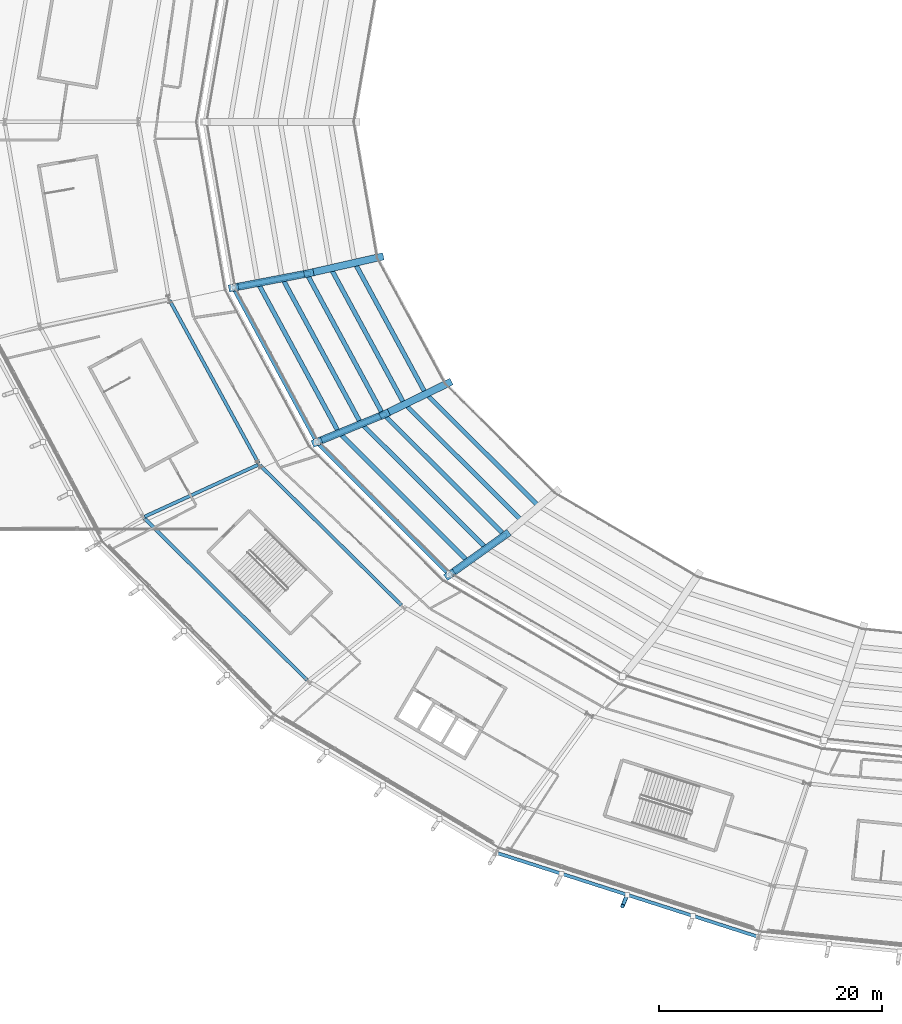
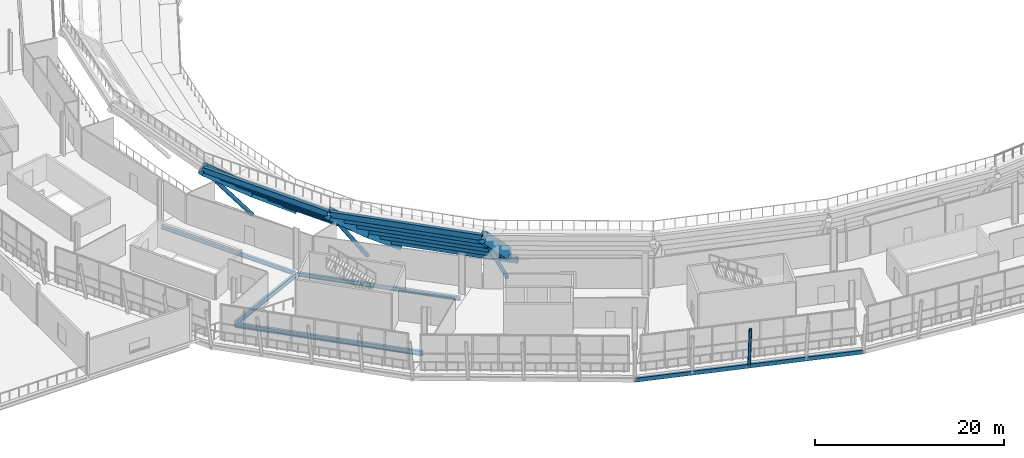
# One storey, part 19 of 126: 22 beams, 4 members.
"""IFC4 building model written with IfcOpenShell, lengths in metres."""

from ifc_helpers import new_model, si_unit, direction, frame, origin, origin_2d, place, context, subcontext, project, spatial, rectangle, hollow_rectangle, hollow_circle, i_section, extrude, material, material_profile, profile_set, type_object, element, save


model = new_model("IFC4")

# Units and contexts
model_context = context("Model", 3, precision=1e-05, world=origin(), true_north=direction((0.0, 1.0)))
body_context = subcontext(model_context, "Body", "Model", "MODEL_VIEW")
ifc_project = project(units=[si_unit("LENGTHUNIT", "METRE"), si_unit("AREAUNIT", "SQUARE_METRE"), si_unit("VOLUMEUNIT", "CUBIC_METRE"), si_unit("PLANEANGLEUNIT", "RADIAN"), si_unit("MASSUNIT", "GRAM", prefix="KILO")], contexts=[model_context])

# Site, building, storey
site_placement = place(None, origin())
site = spatial("IfcSite", under=ifc_project, at=site_placement, CompositionType="ELEMENT")
building_placement = place(site_placement, origin())
building = spatial("IfcBuilding", under=site, at=building_placement, Name="Zlatoyarsky Gate Stadium", CompositionType="ELEMENT")
storey_placement = place(building_placement, frame((0.0, 0.0, 20.800048828125)))
storey = spatial("IfcBuildingStorey", under=building, at=storey_placement, Name="L04", CompositionType="ELEMENT", Elevation=20.800048828125)

# Beams
ifc_material_1 = material(Name="Concrete C40/50", Category="concrete")
ifc_material_profile_1 = material_profile(ifc_material_1, rectangle(XDim=0.39990234375, YDim=0.699951171875, at=origin_2d()), Name="RC BEAM 400X700")
ifc_profile_set_1 = profile_set([ifc_material_profile_1], Name="Concrete C40/50")
beam_type_1 = type_object("IfcBeamType", Name="CONCRETE FLOOR BEAM 400X700", PredefinedType="BEAM", material=ifc_profile_set_1)
beam_1_placement = place(storey_placement, frame((49.4697265625, 67.294677734375, -5.31005859375), z_axis=(0.476295687654, -0.879285174402, 0.0), x_axis=(0.879285174402, 0.476295687654, 0.0)))
element("IfcBeam", 1, at=beam_1_placement, inside=storey, type_object=beam_type_1, Name="Upper bowl step tie beam 13.1", PredefinedType="BEAM", context=body_context, shape_type="SweptSolid", body=[
    extrude(rectangle(XDim=0.39990234375, YDim=0.699951171875, at=origin_2d()), origin(), (0.0, 0.0, 1.0), 13.171875),
])
beam_2_placement = place(storey_placement, frame((47.29638671875, 66.841796875, -3.41015625), z_axis=(0.476066487762, -0.879409289938, 0.0), x_axis=(0.879409289938, 0.476066487762, 0.0)))
element("IfcBeam", 2, at=beam_2_placement, inside=storey, type_object=beam_type_1, Name="Upper bowl step tie beam 13.2", PredefinedType="BEAM", context=body_context, shape_type="SweptSolid", body=[
    extrude(rectangle(XDim=0.39990234375, YDim=0.699951171875, at=origin_2d()), origin(), (0.0, 0.0, 1.0), 13.64990234375),
])
beam_3_placement = place(storey_placement, frame((45.123291015625, 66.388671875, -1.510009765625), z_axis=(0.475860004983, -0.879521037644, 0.0), x_axis=(0.879521037644, 0.475860004983, 0.0)))
element("IfcBeam", 3, at=beam_3_placement, inside=storey, type_object=beam_type_1, Name="Upper bowl step tie beam 13.3", PredefinedType="BEAM", context=body_context, shape_type="SweptSolid", body=[
    extrude(rectangle(XDim=0.39990234375, YDim=0.699951171875, at=origin_2d()), origin(), (0.0, 0.0, 1.0), 14.1279296875),
])
beam_4_placement = place(storey_placement, frame((42.94970703125, 65.935791015625, 0.389892578125), z_axis=(0.475685883609, -0.879615222774, 0.0), x_axis=(0.879615222774, 0.475685883609, 0.0)))
element("IfcBeam", 4, at=beam_4_placement, inside=storey, type_object=beam_type_1, Name="Upper bowl step tie beam 13.4", PredefinedType="BEAM", context=body_context, shape_type="SweptSolid", body=[
    extrude(rectangle(XDim=0.39990234375, YDim=0.699951171875, at=origin_2d()), origin(), (0.0, 0.0, 1.0), 14.606201171875),
])
beam_5_placement = place(storey_placement, frame((40.776611328125, 65.48291015625, 2.2900390625), z_axis=(0.475497738566, -0.879716943464, 0.0), x_axis=(0.879716943464, 0.475497738566, 0.0)))
element("IfcBeam", 5, at=beam_5_placement, inside=storey, type_object=beam_type_1, Name="Upper bowl step tie beam 13.5", PredefinedType="BEAM", context=body_context, shape_type="SweptSolid", body=[
    extrude(rectangle(XDim=0.39990234375, YDim=0.699951171875, at=origin_2d()), origin(), (0.0, 0.0, 1.0), 15.08447265625),
])
beam_6_placement = place(storey_placement, frame((38.60302734375, 65.02978515625, 4.18994140625), z_axis=(0.475339838788, -0.879802271912, 0.0), x_axis=(0.879802271912, 0.475339838788, 0.0)))
element("IfcBeam", 6, at=beam_6_placement, inside=storey, type_object=beam_type_1, Name="Upper bowl step tie beam 13.6", PredefinedType="BEAM", context=body_context, shape_type="SweptSolid", body=[
    extrude(rectangle(XDim=0.39990234375, YDim=0.699951171875, at=origin_2d()), origin(), (0.0, 0.0, 1.0), 15.5625),
])
beam_7_placement = place(storey_placement, frame((55.86181640625, 55.554443359375, -5.31005859375), z_axis=(0.708308892536, -0.705902622714, 0.0), x_axis=(0.705902622714, 0.708308892536, 0.0)))
element("IfcBeam", 7, at=beam_7_placement, inside=storey, type_object=beam_type_1, Name="Upper bowl step tie beam 14.1", PredefinedType="BEAM", context=body_context, shape_type="SweptSolid", body=[
    extrude(rectangle(XDim=0.39990234375, YDim=0.699951171875, at=origin_2d()), origin(), (0.0, 0.0, 1.0), 14.10302734375),
])
beam_8_placement = place(storey_placement, frame((53.9130859375, 54.679443359375, -3.41015625), z_axis=(0.708116890443, -0.706095226913, 0.0), x_axis=(0.706095226913, 0.708116890443, 0.0)))
element("IfcBeam", 8, at=beam_8_placement, inside=storey, type_object=beam_type_1, Name="Upper bowl step tie beam 14.2", PredefinedType="BEAM", context=body_context, shape_type="SweptSolid", body=[
    extrude(rectangle(XDim=0.39990234375, YDim=0.699951171875, at=origin_2d()), origin(), (0.0, 0.0, 1.0), 14.6123046875),
])
beam_9_placement = place(storey_placement, frame((51.964599609375, 53.804443359375, -1.510009765625), z_axis=(0.707913593092, -0.706299047653, 0.0), x_axis=(0.706299047653, 0.707913593092, 0.0)))
element("IfcBeam", 9, at=beam_9_placement, inside=storey, type_object=beam_type_1, Name="Upper bowl step tie beam 14.3", PredefinedType="BEAM", context=body_context, shape_type="SweptSolid", body=[
    extrude(rectangle(XDim=0.39990234375, YDim=0.699951171875, at=origin_2d()), origin(), (0.0, 0.0, 1.0), 15.121337890625),
])
beam_10_placement = place(storey_placement, frame((50.01611328125, 52.929443359375, 0.389892578125), z_axis=(0.707723485707, -0.706489538336, 0.0), x_axis=(0.706489538336, 0.707723485707, 0.0)))
element("IfcBeam", 10, at=beam_10_placement, inside=storey, type_object=beam_type_1, Name="Upper bowl step tie beam 14.4", PredefinedType="BEAM", context=body_context, shape_type="SweptSolid", body=[
    extrude(rectangle(XDim=0.39990234375, YDim=0.699951171875, at=origin_2d()), origin(), (0.0, 0.0, 1.0), 15.63037109375),
])
beam_11_placement = place(storey_placement, frame((48.0673828125, 52.05419921875, 2.2900390625), z_axis=(0.707575559386, -0.706637692003, 0.0), x_axis=(0.706637692003, 0.707575559386, 0.0)))
element("IfcBeam", 11, at=beam_11_placement, inside=storey, type_object=beam_type_1, Name="Upper bowl step tie beam 14.5", PredefinedType="BEAM", context=body_context, shape_type="SweptSolid", body=[
    extrude(rectangle(XDim=0.39990234375, YDim=0.699951171875, at=origin_2d()), origin(), (0.0, 0.0, 1.0), 16.139404296875),
])
beam_12_placement = place(storey_placement, frame((46.118896484375, 51.17919921875, 4.18994140625), z_axis=(0.707414668274, -0.706798759981, 0.0), x_axis=(0.706798759981, 0.707414668274, 0.0)))
element("IfcBeam", 12, at=beam_12_placement, inside=storey, type_object=beam_type_1, Name="Upper bowl step tie beam 14.6", PredefinedType="BEAM", context=body_context, shape_type="SweptSolid", body=[
    extrude(rectangle(XDim=0.39990234375, YDim=0.699951171875, at=origin_2d()), origin(), (0.0, 0.0, 1.0), 16.6484375),
])
ifc_material_2 = material(Name="Precast concrete C40/50", Category="concrete")
ifc_material_profile_2 = material_profile(ifc_material_2, rectangle(XDim=0.64990234375, YDim=1.35009765625, at=origin_2d()), Name="PC RAKER 650X1350")
ifc_profile_set_2 = profile_set([ifc_material_profile_2], Name="Precast concrete C40/50")
beam_type_2 = type_object("IfcBeamType", Name="PRECAST UPPER BOWL RAKER 650X1350", PredefinedType="USERDEFINED", material=ifc_profile_set_2)
beam_13_placement = place(storey_placement, frame((51.595703125, 67.83544921875, -6.949951171875), z_axis=(-0.756966430115, -0.171596325048, 0.630520836221), x_axis=(0.221080190505, -0.97525563283, 0.0)))
element("IfcBeam", 13, at=beam_13_placement, inside=storey, type_object=beam_type_2, Name="Upper bowl radial raker 13 inner", ObjectType="RAKER", PredefinedType="USERDEFINED", context=body_context, shape_type="SweptSolid", body=[
    extrude(rectangle(XDim=0.64990234375, YDim=1.35009765625, at=origin_2d()), origin(), (0.0, 0.0, 1.0), 8.294677734375),
])
beam_14_placement = place(storey_placement, frame((45.31689453125, 66.412109375, -1.719970703125), z_axis=(-0.745217452592, -0.142644533696, 0.651385819127), x_axis=(0.188000209644, -0.982168988094, 0.0)))
element("IfcBeam", 14, at=beam_14_placement, inside=storey, type_object=beam_type_2, Name="Upper bowl radial raker 13 outer", ObjectType="RAKER", PredefinedType="USERDEFINED", context=body_context, shape_type="SweptSolid", body=[
    extrude(rectangle(XDim=0.64990234375, YDim=1.35009765625, at=origin_2d()), origin(), (0.0, 0.0, 1.0), 9.07275390625),
])
beam_15_placement = place(storey_placement, frame((57.739501953125, 56.5, -6.949951171875), z_axis=(-0.689759179281, -0.336966968618, 0.640847514358), x_axis=(0.438948714008, -0.898512118154, 0.0)))
element("IfcBeam", 15, at=beam_15_placement, inside=storey, type_object=beam_type_2, Name="Upper bowl radial raker 14 inner", ObjectType="RAKER", PredefinedType="USERDEFINED", context=body_context, shape_type="SweptSolid", body=[
    extrude(rectangle(XDim=0.64990234375, YDim=1.35009765625, at=origin_2d()), origin(), (0.0, 0.0, 1.0), 8.1611328125),
])
beam_16_placement = place(storey_placement, frame((52.1103515625, 53.75, -1.719970703125), z_axis=(-0.686732303107, -0.283199983239, 0.669474804128), x_axis=(0.381242231727, -0.92447518125, 0.0)))
element("IfcBeam", 16, at=beam_16_placement, inside=storey, type_object=beam_type_2, Name="Upper bowl radial raker 14 outer", ObjectType="RAKER", PredefinedType="USERDEFINED", context=body_context, shape_type="SweptSolid", body=[
    extrude(rectangle(XDim=0.64990234375, YDim=1.35009765625, at=origin_2d()), origin(), (0.0, 0.0, 1.0), 8.82763671875),
])
beam_17_placement = place(storey_placement, frame((62.916748046875, 42.876953125, -1.719970703125), z_axis=(-0.583622710391, -0.41688981414, 0.696841025473), x_axis=(0.581253380312, -0.813722623426, 0.0)))
element("IfcBeam", 17, at=beam_17_placement, inside=storey, type_object=beam_type_2, Name="Upper bowl radial raker 15 outer", ObjectType="RAKER", PredefinedType="USERDEFINED", context=body_context, shape_type="SweptSolid", body=[
    extrude(rectangle(XDim=0.64990234375, YDim=1.35009765625, at=origin_2d()), origin(), (0.0, 0.0, 1.0), 8.48095703125),
])

# Members
ifc_material_3 = material(Name="Steel S355", Category="steel")
ifc_material_profile_3 = material_profile(ifc_material_3, hollow_circle(Radius=0.228515625, WallThickness=0.02490234375, at=origin_2d()), Name="CHS 457X25")
ifc_profile_set_3 = profile_set([ifc_material_profile_3], Name="Steel S355")
member_type_1 = type_object("IfcMemberType", Name="STEEL BACKSPAN TIE STRUT CHS 457X25", PredefinedType="STRUT", material=ifc_profile_set_3)
member_1_placement = place(storey_placement, frame((45.31689453125, 66.412109375, -4.85009765625), z_axis=(-0.595036116931, -0.113897828261, 0.795587395743), x_axis=(0.188000209644, -0.982168988094, 0.0)))
element("IfcMember", 18, at=member_1_placement, inside=storey, type_object=member_type_1, Name="Upper tier outer raker prop strut 13", PredefinedType="STRUT", context=body_context, shape_type="SweptSolid", body=[
    extrude(hollow_circle(Radius=0.228515625, WallThickness=0.02490234375, at=origin_2d()), origin(), (0.0, 0.0, 1.0), 11.36279296875),
])
member_2_placement = place(storey_placement, frame((52.1103515625, 53.75, -4.85009765625), z_axis=(-0.542825884046, -0.223854740149, 0.809462238108), x_axis=(0.381242231727, -0.92447518125, 0.0)))
element("IfcMember", 19, at=member_2_placement, inside=storey, type_object=member_type_1, Name="Upper tier outer raker prop strut 14", PredefinedType="STRUT", context=body_context, shape_type="SweptSolid", body=[
    extrude(hollow_circle(Radius=0.228515625, WallThickness=0.02490234375, at=origin_2d()), origin(), (0.0, 0.0, 1.0), 11.16796875),
])
member_3_placement = place(storey_placement, frame((62.916748046875, 42.876953125, -4.85009765625), z_axis=(-0.454268510955, -0.324490311515, 0.829666292968), x_axis=(0.581253380312, -0.813722623426, 0.0)))
element("IfcMember", 20, at=member_3_placement, inside=storey, type_object=member_type_1, Name="Upper tier outer raker prop strut 15", PredefinedType="STRUT", context=body_context, shape_type="SweptSolid", body=[
    extrude(hollow_circle(Radius=0.228515625, WallThickness=0.02490234375, at=origin_2d()), origin(), (0.0, 0.0, 1.0), 10.89599609375),
])
ifc_material_profile_4 = material_profile(ifc_material_3, hollow_circle(Radius=0.177734375, WallThickness=0.02001953125, at=origin_2d()), Name="CHS 355.6X20")
ifc_profile_set_4 = profile_set([ifc_material_profile_4], Name="Steel S355")
member_type_2 = type_object("IfcMemberType", Name="STEEL LEANING RIB RING STRUT CHS 355.6X20", PredefinedType="STRUT", material=ifc_profile_set_4)
member_4_placement = place(storey_placement, frame((73.9052734375, 10.596923828125, -0.550048828125), z_axis=(-0.07579552226, -0.182956225814, 0.980194908292), x_axis=(0.923857085689, -0.382737619294, 0.0)))
element("IfcMember", 21, at=member_4_placement, inside=storey, type_object=member_type_2, Name="Outward-leaning bowl louvre fin rib L04 16-2", PredefinedType="STRUT", context=body_context, shape_type="SweptSolid", body=[
    extrude(hollow_circle(Radius=0.177734375, WallThickness=0.02001953125, at=origin_2d()), origin(), (0.0, 0.0, 1.0), 5.5498046875),
])

# Beams
ifc_material_profile_5 = material_profile(ifc_material_3, hollow_rectangle(XDim=0.300048828125, YDim=0.5, WallThickness=0.02001953125, at=origin_2d()), Name="RHS 500X300X20")
ifc_profile_set_5 = profile_set([ifc_material_profile_5], Name="Steel S355")
beam_type_3 = type_object("IfcBeamType", Name="STEEL LOUVRE CARRIER SPANDREL RHS 500X300X20", PredefinedType="SPANDREL", material=ifc_profile_set_5)
beam_18_placement = place(storey_placement, frame((62.13427734375, 14.37548828125, -0.550048828125), z_axis=(0.952146534083, -0.305641910794, 0.0), x_axis=(0.305641910794, 0.952146534083, 0.0)))
element("IfcBeam", 22, at=beam_18_placement, inside=storey, type_object=beam_type_3, Name="Beam SP-RHS500 BM-L04-SPD-16", PredefinedType="SPANDREL", context=body_context, shape_type="SweptSolid", body=[
    extrude(hollow_rectangle(XDim=0.300048828125, YDim=0.5, WallThickness=0.02001953125, at=origin_2d()), origin(), (0.0, 0.0, 1.0), 24.725341796875),
])
ifc_material_profile_6 = material_profile(ifc_material_3, i_section(OverallWidth=0.300048828125, OverallDepth=0.5, WebThickness=0.014404296875, FlangeThickness=0.028076171875, FilletRadius=0.027099609375, at=origin_2d()), Name="HEB 500")
ifc_profile_set_6 = profile_set([ifc_material_profile_6], Name="Steel S355")
beam_type_4 = type_object("IfcBeamType", Name="STEEL PRIMARY GIRDER HEB 500", PredefinedType="BEAM", material=ifc_profile_set_6)
beam_19_placement = place(storey_placement, frame((32.8173828125, 63.977294921875, -0.550048828125), z_axis=(0.478915800408, -0.877860840976, 0.0), x_axis=(0.877860840976, 0.478915800408, 0.0)))
element("IfcBeam", 23, at=beam_19_placement, inside=storey, type_object=beam_type_4, Name="Beam G-HEB500 BM-L04-CRB-13", PredefinedType="BEAM", context=body_context, shape_type="SweptSolid", body=[
    extrude(i_section(OverallWidth=0.300048828125, OverallDepth=0.5, WebThickness=0.014404296875, FlangeThickness=0.028076171875, FilletRadius=0.027099609375, at=origin_2d()), origin(), (0.0, 0.0, 1.0), 16.656494140625),
])
beam_20_placement = place(storey_placement, frame((40.937255859375, 49.16552734375, -0.550048828125), z_axis=(0.710840510009, -0.703353232259, 0.0), x_axis=(0.703353232259, 0.710840510009, 0.0)))
element("IfcBeam", 24, at=beam_20_placement, inside=storey, type_object=beam_type_4, Name="Beam G-HEB500 BM-L04-CRB-14", PredefinedType="BEAM", context=body_context, shape_type="SweptSolid", body=[
    extrude(i_section(OverallWidth=0.300048828125, OverallDepth=0.5, WebThickness=0.014404296875, FlangeThickness=0.028076171875, FilletRadius=0.027099609375, at=origin_2d()), origin(), (0.0, 0.0, 1.0), 17.868896484375),
])
ifc_material_profile_7 = material_profile(ifc_material_3, i_section(OverallWidth=0.300048828125, OverallDepth=0.60009765625, WebThickness=0.015380859375, FlangeThickness=0.030029296875, FilletRadius=0.027099609375, at=origin_2d()), Name="HEB 600")
ifc_profile_set_7 = profile_set([ifc_material_profile_7], Name="Steel S355")
beam_type_5 = type_object("IfcBeamType", Name="STEEL PRIMARY GIRDER HEB 600", PredefinedType="BEAM", material=ifc_profile_set_7)
beam_21_placement = place(storey_placement, frame((40.742919921875, 49.2001953125, -0.60009765625), z_axis=(-0.909498994842, -0.415706120213, 0.0), x_axis=(0.415706120213, -0.909498994842, 0.0)))
element("IfcBeam", 25, at=beam_21_placement, inside=storey, type_object=beam_type_5, Name="Beam G-HEB600 BM-L04-RBC-14", PredefinedType="BEAM", context=body_context, shape_type="SweptSolid", body=[
    extrude(i_section(OverallWidth=0.300048828125, OverallDepth=0.60009765625, WebThickness=0.015380859375, FlangeThickness=0.030029296875, FilletRadius=0.027099609375, at=origin_2d()), origin(), (0.0, 0.0, 1.0), 11.186767578125),
])
beam_22_placement = place(storey_placement, frame((30.544677734375, 44.415283203125, -0.60009765625), z_axis=(0.708899260134, -0.705309746835, 0.0), x_axis=(0.705309746835, 0.708899260134, 0.0)))
element("IfcBeam", 26, at=beam_22_placement, inside=storey, type_object=beam_type_5, Name="Beam G-HEB600 BM-L04-CRC-14", PredefinedType="BEAM", context=body_context, shape_type="SweptSolid", body=[
    extrude(i_section(OverallWidth=0.300048828125, OverallDepth=0.60009765625, WebThickness=0.015380859375, FlangeThickness=0.030029296875, FilletRadius=0.027099609375, at=origin_2d()), origin(), (0.0, 0.0, 1.0), 20.608642578125),
])

save(model, "model.ifc")
